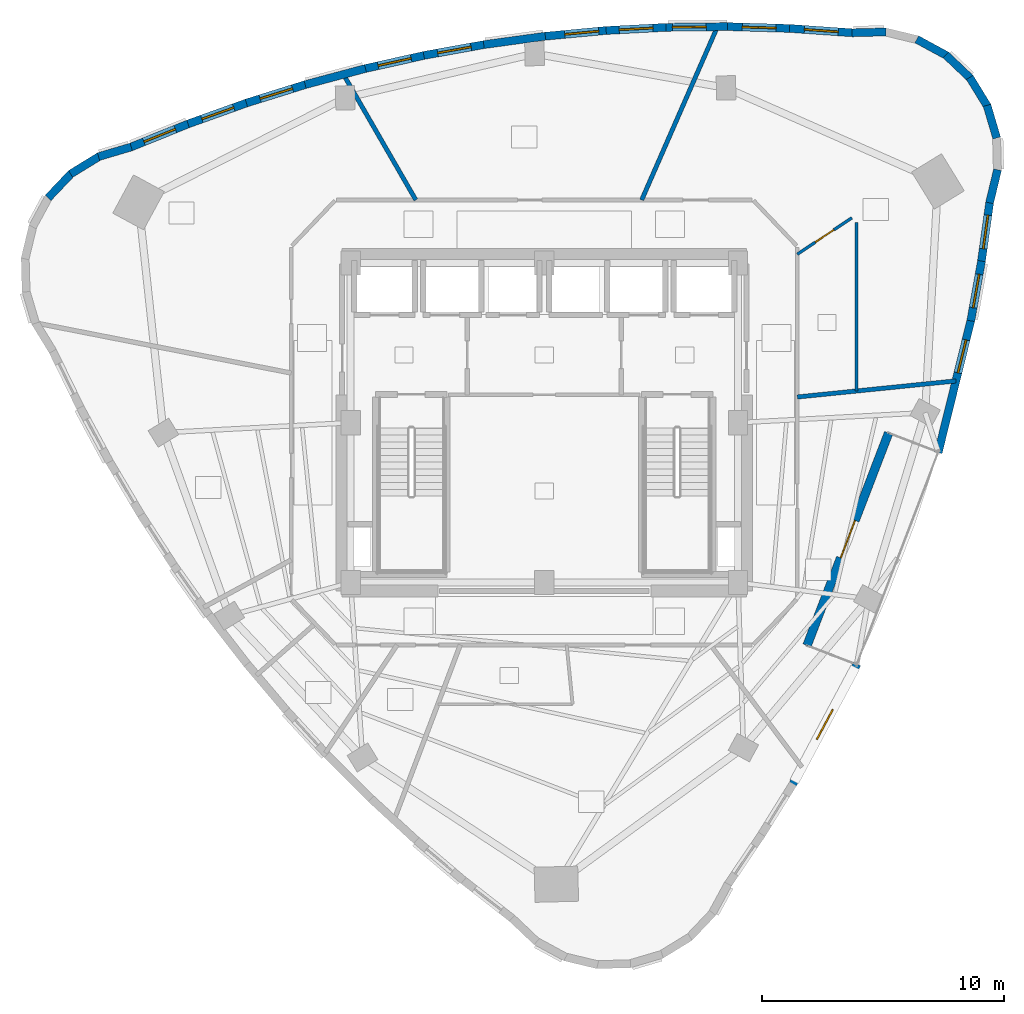
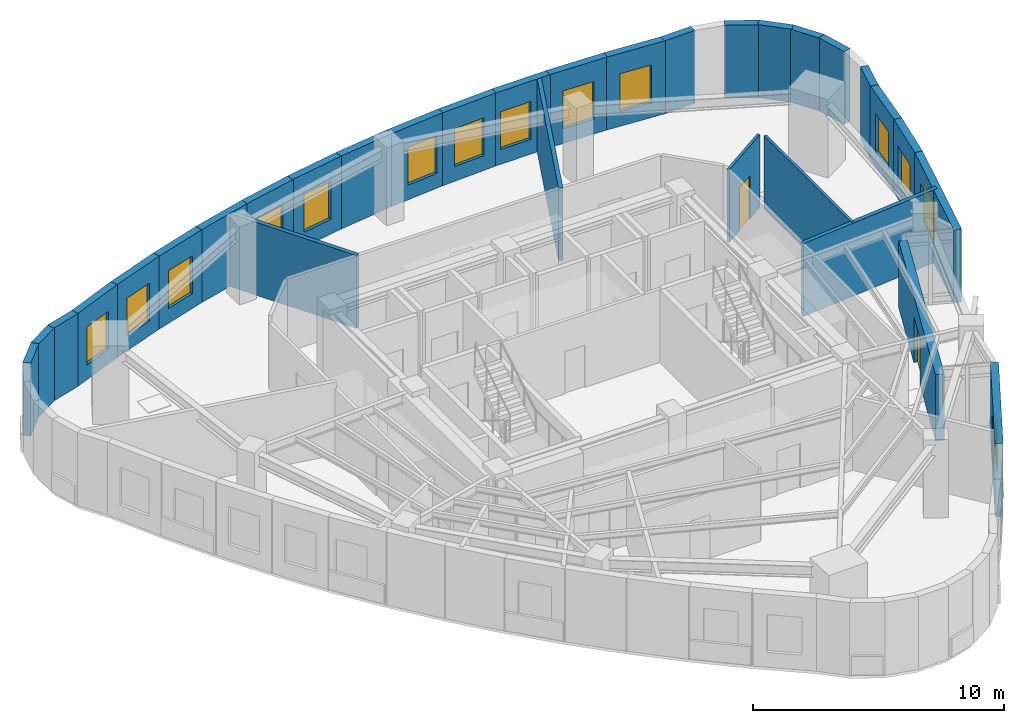
# One storey, part 6 of 10: 31 walls, 14 windows, 2 doors, 16 openings.
"""IFC4 building model written with IfcOpenShell, lengths in metres."""

from ifc_helpers import new_model, si_unit, direction, frame, frame_2d, origin, place, context, subcontext, project, spatial, rectangle, extrude, material, layer, layer_set, type_object, element, fill, save


model = new_model("IFC4")

# Units and contexts
model_context = context("Model", 3, precision=1e-05, world=origin(), true_north=direction((0.0, 1.0)))
body_context = subcontext(model_context, "Body", "Model", "MODEL_VIEW")
ifc_project = project(units=[si_unit("LENGTHUNIT", "METRE"), si_unit("AREAUNIT", "SQUARE_METRE"), si_unit("VOLUMEUNIT", "CUBIC_METRE"), si_unit("PLANEANGLEUNIT", "RADIAN"), si_unit("MASSUNIT", "GRAM", prefix="KILO")], contexts=[model_context])

# Site, building, storey
site_placement = place(None, origin())
site = spatial("IfcSite", under=ifc_project, at=site_placement, CompositionType="ELEMENT")
building_placement = place(site_placement, origin())
building = spatial("IfcBuilding", under=site, at=building_placement, Name="Ndelora Gate Hotel", CompositionType="ELEMENT")
storey_placement = place(building_placement, frame((0.0, 0.0, 247.35009765625)))
storey = spatial("IfcBuildingStorey", under=building, at=storey_placement, Name="L62", CompositionType="ELEMENT", Elevation=247.35009765625)

# Walls
ifc_material_1 = material(Name="Acoustic Double-Stud Gypsum Assembly", Category="gypsum")
ifc_layer_1 = layer(ifc_material_1, 0.179931640625)
ifc_layer_set_1 = layer_set([ifc_layer_1], Name="Acoustic Double-Stud Gypsum Assembly")
wall_type_1 = type_object("IfcWallType", Name="WL-ACOUST-180", PredefinedType="PARTITIONING", material=ifc_layer_set_1)
wall_1_placement = place(storey_placement, frame((10.449951171875, 1.060791015625, 0.0), z_axis=(0.0, 0.0, 1.0), x_axis=(0.994889305672, 0.100971626999, 0.0)))
element("IfcWall", 1, at=wall_1_placement, inside=storey, type_object=wall_type_1, Name="L62 Interior Wall IW-3", PredefinedType="PARTITIONING", context=body_context, shape_type="SweptSolid", body=[
    extrude(rectangle(XDim=6.58642578125, YDim=0.179931640625, at=frame_2d((3.293212890625, 0.0))), origin(), (0.0, 0.0, 1.0), 3.5498046875),
])
wall_2_placement = place(storey_placement, frame((4.0234375, 9.199951171875, 0.0), z_axis=(0.0, 0.0, 1.0), x_axis=(0.400689260614, 0.916214012351, 0.0)))
element("IfcWall", 2, at=wall_2_placement, inside=storey, type_object=wall_type_1, Name="L62 Interior Wall IW-3", PredefinedType="PARTITIONING", context=body_context, shape_type="SweptSolid", body=[
    extrude(rectangle(XDim=7.808837890625, YDim=0.179931640625, at=frame_2d((3.904296875, 0.0))), origin(), (0.0, 0.0, 1.0), 3.5498046875),
])
wall_3_placement = place(storey_placement, frame((-5.305419921875, 9.199951171875, 0.0), z_axis=(0.0, 0.0, 1.0), x_axis=(-0.499547119909, 0.866286716388, 0.0)))
element("IfcWall", 3, at=wall_3_placement, inside=storey, type_object=wall_type_1, Name="L62 Interior Wall IW-3", PredefinedType="PARTITIONING", context=body_context, shape_type="SweptSolid", body=[
    extrude(rectangle(XDim=5.9873046875, YDim=0.179931640625, at=frame_2d((2.99365234375, 0.0))), origin(), (0.0, 0.0, 1.0), 3.5498046875),
])
ifc_material_2 = material(Name="Clay Brick Masonry", Category="masonry")
ifc_layer_2 = layer(ifc_material_2, 0.330078125)
ifc_layer_set_2 = layer_set([ifc_layer_2], Name="Clay Brick Masonry")
wall_type_2 = type_object("IfcWallType", Name="WL-BRICK-330", PredefinedType="SOLIDWALL", material=ifc_layer_set_2)
for number, where, z_axis, x_axis, name in (
    (4, (-18.40966796875, 10.989013671875, 0.0), (0.0, 0.0, 1.0), (0.958780610545, 0.284147392812, 0.0), "L62 Tower Brick Pier-and-Spandrel Wall TWR-1"),
    (5, (-19.564453125, 10.273681640625, 0.0), (0.0, 0.0, 1.0), (0.852556375324, 0.522635271384, 0.0), "L62 Tower Brick Pier-and-Spandrel Wall TWR-2"),
    (6, (-20.494873046875, 9.2841796875, 0.0), (0.0, 0.0, 1.0), (0.688480442028, 0.725254907563, 0.0), "L62 Tower Brick Pier-and-Spandrel Wall TWR-3"),
):
    element("IfcWall", number, at=place(storey_placement, frame(where, z_axis=z_axis, x_axis=x_axis)), inside=storey, type_object=wall_type_2, Name=name, PredefinedType="SOLIDWALL", context=body_context, shape_type="SweptSolid", body=[
        extrude(rectangle(XDim=1.407470703125, YDim=0.330078125, at=frame_2d((0.70361328125, 0.0))), origin(), (0.0, 0.0, 1.0), 3.5498046875),
    ])

# Wall, opening, window
wall_4_placement = place(storey_placement, frame((12.919189453125, -9.967041015625, 0.0), z_axis=(0.0, 0.0, 1.0), x_axis=(-0.471219832314, -0.882015798971, 0.0)))
wall_4 = element("IfcWall", 7, at=wall_4_placement, inside=storey, type_object=wall_type_2, Name="L62 Tower Brick Pier-and-Spandrel Wall TWR-31", PredefinedType="SOLIDWALL", context=body_context, shape_type="SweptSolid", body=[
    extrude(rectangle(XDim=5.65673828125, YDim=0.330078125, at=frame_2d((2.828369140625, 0.0))), origin(), (0.0, 0.0, 1.0), 3.5498046875),
])
opening_1_placement = place(wall_4_placement, frame((2.12841796875, 0.0, 0.719970703125)))
opening_1 = element("IfcOpeningElement", 8, at=opening_1_placement, cuts=wall_4, Name="Opening W02", PredefinedType="OPENING", context=body_context, shape_type="SweptSolid", body=[
    extrude(rectangle(XDim=1.39990234375, YDim=1.8798828125, at=frame_2d((0.699951171875, 0.93994140625))), frame((0.0, 0.175048828125, 0.0), z_axis=(0.0, -1.0, 0.0), x_axis=(1.0, 0.0, 0.0)), (0.0, 0.0, 1.0), 0.35009765625),
])
ifc_material_3 = material(Name="Insulated Low-E Double Glazing in Bronze Aluminium Frame", Category="aluminium")
window_type = type_object("IfcWindowType", Name="WN-DEEP-1400", PartitioningType="SINGLE_PANEL", PredefinedType="WINDOW", material=ifc_material_3)
window_1_placement = place(opening_1_placement, origin())
window_1 = element("IfcWindow", 9, at=window_1_placement, inside=storey, type_object=window_type, Name="L62 Deep-Set Brick-Pier Window W02", OverallHeight=1.8798828125, OverallWidth=1.39990234375, PartitioningType="SINGLE_PANEL", PredefinedType="WINDOW", context=body_context, shape_type="SweptSolid", body=[
    extrude(rectangle(XDim=1.39990234375, YDim=1.8798828125, at=frame_2d((0.699951171875, 0.93994140625))), frame((0.0, 0.030029296875, 0.0), z_axis=(0.0, -1.0, 0.0), x_axis=(1.0, 0.0, 0.0)), (0.0, 0.0, 1.0), 0.06005859375),
])
fill(opening_1, window_1)

wall_5_placement = place(storey_placement, frame((17.627685546875, 4.253662109375, 0.0), z_axis=(0.0, 0.0, 1.0), x_axis=(-0.240006202067, -0.97077135463, 0.0)))
wall_5 = element("IfcWall", 10, at=wall_5_placement, inside=storey, type_object=wall_type_2, Name="L62 Tower Brick Pier-and-Spandrel Wall TWR-36", PredefinedType="SOLIDWALL", context=body_context, shape_type="SweptSolid", body=[
    extrude(rectangle(XDim=5.65673828125, YDim=0.330078125, at=frame_2d((2.828369140625, 0.0))), origin(), (0.0, 0.0, 1.0), 3.5498046875),
])
opening_2_placement = place(wall_5_placement, frame((0.860107421875, 0.0, 0.719970703125)))
opening_2 = element("IfcOpeningElement", 11, at=opening_2_placement, cuts=wall_5, Name="Opening W02", PredefinedType="OPENING", context=body_context, shape_type="SweptSolid", body=[
    extrude(rectangle(XDim=1.39990234375, YDim=1.8798828125, at=frame_2d((0.699951171875, 0.93994140625))), frame((0.0, 0.175048828125, 0.0), z_axis=(0.0, -1.0, 0.0), x_axis=(1.0, 0.0, 0.0)), (0.0, 0.0, 1.0), 0.35009765625),
])
window_2_placement = place(opening_2_placement, origin())
window_2 = element("IfcWindow", 12, at=window_2_placement, inside=storey, type_object=window_type, Name="L62 Deep-Set Brick-Pier Window W02", OverallHeight=1.8798828125, OverallWidth=1.39990234375, PartitioningType="SINGLE_PANEL", PredefinedType="WINDOW", context=body_context, shape_type="SweptSolid", body=[
    extrude(rectangle(XDim=1.39990234375, YDim=1.8798828125, at=frame_2d((0.699951171875, 0.93994140625))), frame((0.0, 0.030029296875, 0.0), z_axis=(0.0, -1.0, 0.0), x_axis=(1.0, 0.0, 0.0)), (0.0, 0.0, 1.0), 0.06005859375),
])
fill(opening_2, window_2)

wall_6_placement = place(storey_placement, frame((18.06005859375, 6.674072265625, 0.0), z_axis=(0.0, 0.0, 1.0), x_axis=(-0.176521442017, -0.984296794929, 0.0)))
wall_6 = element("IfcWall", 13, at=wall_6_placement, inside=storey, type_object=wall_type_2, Name="L62 Tower Brick Pier-and-Spandrel Wall TWR-37", PredefinedType="SOLIDWALL", context=body_context, shape_type="SweptSolid", body=[
    extrude(rectangle(XDim=2.5087890625, YDim=0.330078125, at=frame_2d((1.25439453125, 0.0))), origin(), (0.0, 0.0, 1.0), 3.5498046875),
])
opening_3_placement = place(wall_6_placement, frame((0.554443359375, 0.0, 0.719970703125)))
opening_3 = element("IfcOpeningElement", 14, at=opening_3_placement, cuts=wall_6, Name="Opening W02", PredefinedType="OPENING", context=body_context, shape_type="SweptSolid", body=[
    extrude(rectangle(XDim=1.39990234375, YDim=1.840087890625, at=frame_2d((0.699951171875, 0.919921875))), frame((0.0, 0.175048828125, 0.0), z_axis=(0.0, -1.0, 0.0), x_axis=(1.0, 0.0, 0.0)), (0.0, 0.0, 1.0), 0.35009765625),
])
window_3_placement = place(opening_3_placement, origin())
window_3 = element("IfcWindow", 15, at=window_3_placement, inside=storey, type_object=window_type, Name="L62 Deep-Set Brick-Pier Window W02", OverallHeight=1.840087890625, OverallWidth=1.39990234375, PartitioningType="SINGLE_PANEL", PredefinedType="WINDOW", context=body_context, shape_type="SweptSolid", body=[
    extrude(rectangle(XDim=1.39990234375, YDim=1.840087890625, at=frame_2d((0.699951171875, 0.919921875))), frame((0.0, 0.030029296875, 0.0), z_axis=(0.0, -1.0, 0.0), x_axis=(1.0, 0.0, 0.0)), (0.0, 0.0, 1.0), 0.06005859375),
])
fill(opening_3, window_3)

wall_7_placement = place(storey_placement, frame((18.40234375, 9.12939453125, 0.0), z_axis=(0.0, 0.0, 1.0), x_axis=(-0.138433861982, -0.990371680662, 0.0)))
wall_7 = element("IfcWall", 16, at=wall_7_placement, inside=storey, type_object=wall_type_2, Name="L62 Tower Brick Pier-and-Spandrel Wall TWR-38", PredefinedType="SOLIDWALL", context=body_context, shape_type="SweptSolid", body=[
    extrude(rectangle(XDim=2.529052734375, YDim=0.330078125, at=frame_2d((1.2646484375, 0.0))), origin(), (0.0, 0.0, 1.0), 3.5498046875),
])
opening_4_placement = place(wall_7_placement, frame((0.564453125, 0.0, 0.719970703125)))
opening_4 = element("IfcOpeningElement", 17, at=opening_4_placement, cuts=wall_7, Name="Opening W02", PredefinedType="OPENING", context=body_context, shape_type="SweptSolid", body=[
    extrude(rectangle(XDim=1.39990234375, YDim=1.840087890625, at=frame_2d((0.699951171875, 0.919921875))), frame((0.0, 0.175048828125, 0.0), z_axis=(0.0, -1.0, 0.0), x_axis=(1.0, 0.0, 0.0)), (0.0, 0.0, 1.0), 0.35009765625),
])
window_4_placement = place(opening_4_placement, origin())
window_4 = element("IfcWindow", 18, at=window_4_placement, inside=storey, type_object=window_type, Name="L62 Deep-Set Brick-Pier Window W02", OverallHeight=1.840087890625, OverallWidth=1.39990234375, PartitioningType="SINGLE_PANEL", PredefinedType="WINDOW", context=body_context, shape_type="SweptSolid", body=[
    extrude(rectangle(XDim=1.39990234375, YDim=1.840087890625, at=frame_2d((0.699951171875, 0.919921875))), frame((0.0, 0.030029296875, 0.0), z_axis=(0.0, -1.0, 0.0), x_axis=(1.0, 0.0, 0.0)), (0.0, 0.0, 1.0), 0.06005859375),
])
fill(opening_4, window_4)

# Walls
wall_8_placement = place(storey_placement, frame((18.7216796875, 10.44873046875, 0.0), z_axis=(0.0, 0.0, 1.0), x_axis=(-0.233464793771, -0.972365255482, 0.0)))
element("IfcWall", 19, at=wall_8_placement, inside=storey, type_object=wall_type_2, Name="L62 Tower Brick Pier-and-Spandrel Wall TWR-39", PredefinedType="SOLIDWALL", context=body_context, shape_type="SweptSolid", body=[
    extrude(rectangle(XDim=1.407470703125, YDim=0.330078125, at=frame_2d((0.70361328125, 0.0))), origin(), (0.0, 0.0, 1.0), 3.5498046875),
])
wall_9_placement = place(storey_placement, frame((18.28759765625, 13.10693359375, 0.0), z_axis=(0.0, 0.0, 1.0), x_axis=(0.284100140437, -0.958794613149, 0.0)))
element("IfcWall", 20, at=wall_9_placement, inside=storey, type_object=wall_type_2, Name="L62 Tower Brick Pier-and-Spandrel Wall TWR-41", PredefinedType="SOLIDWALL", context=body_context, shape_type="SweptSolid", body=[
    extrude(rectangle(XDim=1.40771484375, YDim=0.330078125, at=frame_2d((0.703857421875, 0.0))), origin(), (0.0, 0.0, 1.0), 3.5498046875),
])
wall_10_placement = place(storey_placement, frame((17.572509765625, 14.26171875, 0.0), z_axis=(0.0, 0.0, 1.0), x_axis=(0.522509174355, -0.852633662668, 0.0)))
element("IfcWall", 21, at=wall_10_placement, inside=storey, type_object=wall_type_2, Name="L62 Tower Brick Pier-and-Spandrel Wall TWR-42", PredefinedType="SOLIDWALL", context=body_context, shape_type="SweptSolid", body=[
    extrude(rectangle(XDim=1.4072265625, YDim=0.330078125, at=frame_2d((0.70361328125, 0.0))), origin(), (0.0, 0.0, 1.0), 3.5498046875),
])
for number, where, z_axis, x_axis, name in (
    (22, (16.582763671875, 15.192138671875, 0.0), (0.0, 0.0, 1.0), (0.725254907563, -0.688480442028, 0.0), "L62 Tower Brick Pier-and-Spandrel Wall TWR-43"),
    (23, (15.3857421875, 15.83447265625, 0.0), (0.0, 0.0, 1.0), (0.8789012206, -0.47700382014, 0.0), "L62 Tower Brick Pier-and-Spandrel Wall TWR-44"),
    (24, (12.705810546875, 16.103271484375, 0.0), (0.0, 0.0, 1.0), (0.999656913907, 0.02619264168, 0.0), "L62 Tower Brick Pier-and-Spandrel Wall TWR-46"),
):
    element("IfcWall", number, at=place(storey_placement, frame(where, z_axis=z_axis, x_axis=x_axis)), inside=storey, type_object=wall_type_2, Name=name, PredefinedType="SOLIDWALL", context=body_context, shape_type="SweptSolid", body=[
        extrude(rectangle(XDim=1.407470703125, YDim=0.330078125, at=frame_2d((0.70361328125, 0.0))), origin(), (0.0, 0.0, 1.0), 3.5498046875),
    ])

# Wall, opening, window
wall_11_placement = place(storey_placement, frame((10.130615234375, 16.285400390625, 0.0), z_axis=(0.0, 0.0, 1.0), x_axis=(0.997576448788, -0.069578939514, 0.0)))
wall_11 = element("IfcWall", 25, at=wall_11_placement, inside=storey, type_object=wall_type_2, Name="L62 Tower Brick Pier-and-Spandrel Wall TWR-47", PredefinedType="SOLIDWALL", context=body_context, shape_type="SweptSolid", body=[
    extrude(rectangle(XDim=2.631591796875, YDim=0.330078125, at=frame_2d((1.31591796875, 0.0))), origin(), (0.0, 0.0, 1.0), 3.5498046875),
])
opening_5_placement = place(wall_11_placement, frame((0.61572265625, 0.0, 0.719970703125)))
opening_5 = element("IfcOpeningElement", 26, at=opening_5_placement, cuts=wall_11, Name="Opening W02", PredefinedType="OPENING", context=body_context, shape_type="SweptSolid", body=[
    extrude(rectangle(XDim=1.39990234375, YDim=1.840087890625, at=frame_2d((0.699951171875, 0.919921875))), frame((0.0, 0.175048828125, 0.0), z_axis=(0.0, -1.0, 0.0), x_axis=(1.0, 0.0, 0.0)), (0.0, 0.0, 1.0), 0.35009765625),
])
window_5_placement = place(opening_5_placement, origin())
window_5 = element("IfcWindow", 27, at=window_5_placement, inside=storey, type_object=window_type, Name="L62 Deep-Set Brick-Pier Window W02", OverallHeight=1.840087890625, OverallWidth=1.39990234375, PartitioningType="SINGLE_PANEL", PredefinedType="WINDOW", context=body_context, shape_type="SweptSolid", body=[
    extrude(rectangle(XDim=1.39990234375, YDim=1.840087890625, at=frame_2d((0.699951171875, 0.919921875))), frame((0.0, 0.030029296875, 0.0), z_axis=(0.0, -1.0, 0.0), x_axis=(1.0, 0.0, 0.0)), (0.0, 0.0, 1.0), 0.06005859375),
])
fill(opening_5, window_5)

wall_12_placement = place(storey_placement, frame((7.571533203125, 16.360107421875, 0.0), z_axis=(0.0, 0.0, 1.0), x_axis=(0.999565811964, -0.029465022531, 0.0)))
wall_12 = element("IfcWall", 28, at=wall_12_placement, inside=storey, type_object=wall_type_2, Name="L62 Tower Brick Pier-and-Spandrel Wall TWR-48", PredefinedType="SOLIDWALL", context=body_context, shape_type="SweptSolid", body=[
    extrude(rectangle(XDim=2.610107421875, YDim=0.330078125, at=frame_2d((1.30517578125, 0.0))), origin(), (0.0, 0.0, 1.0), 3.5498046875),
])
opening_6_placement = place(wall_12_placement, frame((0.60498046875, 0.0, 0.719970703125)))
opening_6 = element("IfcOpeningElement", 29, at=opening_6_placement, cuts=wall_12, Name="Opening W02", PredefinedType="OPENING", context=body_context, shape_type="SweptSolid", body=[
    extrude(rectangle(XDim=1.39990234375, YDim=1.840087890625, at=frame_2d((0.699951171875, 0.919921875))), frame((0.0, 0.175048828125, 0.0), z_axis=(0.0, -1.0, 0.0), x_axis=(1.0, 0.0, 0.0)), (0.0, 0.0, 1.0), 0.35009765625),
])
window_6_placement = place(opening_6_placement, origin())
window_6 = element("IfcWindow", 30, at=window_6_placement, inside=storey, type_object=window_type, Name="L62 Deep-Set Brick-Pier Window W02", OverallHeight=1.840087890625, OverallWidth=1.39990234375, PartitioningType="SINGLE_PANEL", PredefinedType="WINDOW", context=body_context, shape_type="SweptSolid", body=[
    extrude(rectangle(XDim=1.39990234375, YDim=1.840087890625, at=frame_2d((0.699951171875, 0.919921875))), frame((0.0, 0.030029296875, 0.0), z_axis=(0.0, -1.0, 0.0), x_axis=(1.0, 0.0, 0.0)), (0.0, 0.0, 1.0), 0.06005859375),
])
fill(opening_6, window_6)

wall_13_placement = place(storey_placement, frame((5.029296875, 16.33056640625, 0.0), z_axis=(0.0, 0.0, 1.0), x_axis=(0.99993614345, 0.011300841704, 0.0)))
wall_13 = element("IfcWall", 31, at=wall_13_placement, inside=storey, type_object=wall_type_2, Name="L62 Tower Brick Pier-and-Spandrel Wall TWR-49", PredefinedType="SOLIDWALL", context=body_context, shape_type="SweptSolid", body=[
    extrude(rectangle(XDim=2.592529296875, YDim=0.330078125, at=frame_2d((1.29638671875, 0.0))), origin(), (0.0, 0.0, 1.0), 3.5498046875),
])
opening_7_placement = place(wall_13_placement, frame((0.260009765625, 0.0, 0.719970703125)))
opening_7 = element("IfcOpeningElement", 32, at=opening_7_placement, cuts=wall_13, Name="Opening W02", PredefinedType="OPENING", context=body_context, shape_type="SweptSolid", body=[
    extrude(rectangle(XDim=1.39990234375, YDim=1.840087890625, at=frame_2d((0.699951171875, 0.919921875))), frame((0.0, 0.175048828125, 0.0), z_axis=(0.0, -1.0, 0.0), x_axis=(1.0, 0.0, 0.0)), (0.0, 0.0, 1.0), 0.35009765625),
])
window_7_placement = place(opening_7_placement, origin())
window_7 = element("IfcWindow", 33, at=window_7_placement, inside=storey, type_object=window_type, Name="L62 Deep-Set Brick-Pier Window W02", OverallHeight=1.840087890625, OverallWidth=1.39990234375, PartitioningType="SINGLE_PANEL", PredefinedType="WINDOW", context=body_context, shape_type="SweptSolid", body=[
    extrude(rectangle(XDim=1.39990234375, YDim=1.840087890625, at=frame_2d((0.699951171875, 0.919921875))), frame((0.0, 0.030029296875, 0.0), z_axis=(0.0, -1.0, 0.0), x_axis=(1.0, 0.0, 0.0)), (0.0, 0.0, 1.0), 0.06005859375),
])
fill(opening_7, window_7)

wall_14_placement = place(storey_placement, frame((2.50341796875, 16.19677734375, 0.0), z_axis=(0.0, 0.0, 1.0), x_axis=(0.998619136425, 0.052533992485, 0.0)))
wall_14 = element("IfcWall", 34, at=wall_14_placement, inside=storey, type_object=wall_type_2, Name="L62 Tower Brick Pier-and-Spandrel Wall TWR-50", PredefinedType="SOLIDWALL", context=body_context, shape_type="SweptSolid", body=[
    extrude(rectangle(XDim=2.579345703125, YDim=0.330078125, at=frame_2d((1.28955078125, 0.0))), origin(), (0.0, 0.0, 1.0), 3.5498046875),
])
opening_8_placement = place(wall_14_placement, frame((0.589599609375, 0.0, 0.719970703125)))
opening_8 = element("IfcOpeningElement", 35, at=opening_8_placement, cuts=wall_14, Name="Opening W02", PredefinedType="OPENING", context=body_context, shape_type="SweptSolid", body=[
    extrude(rectangle(XDim=1.39990234375, YDim=1.840087890625, at=frame_2d((0.699951171875, 0.919921875))), frame((0.0, 0.175048828125, 0.0), z_axis=(0.0, -1.0, 0.0), x_axis=(1.0, 0.0, 0.0)), (0.0, 0.0, 1.0), 0.35009765625),
])
window_8_placement = place(opening_8_placement, origin())
window_8 = element("IfcWindow", 36, at=window_8_placement, inside=storey, type_object=window_type, Name="L62 Deep-Set Brick-Pier Window W02", OverallHeight=1.840087890625, OverallWidth=1.39990234375, PartitioningType="SINGLE_PANEL", PredefinedType="WINDOW", context=body_context, shape_type="SweptSolid", body=[
    extrude(rectangle(XDim=1.39990234375, YDim=1.840087890625, at=frame_2d((0.699951171875, 0.919921875))), frame((0.0, 0.030029296875, 0.0), z_axis=(0.0, -1.0, 0.0), x_axis=(1.0, 0.0, 0.0)), (0.0, 0.0, 1.0), 0.06005859375),
])
fill(opening_8, window_8)

wall_15_placement = place(storey_placement, frame((-0.005859375, 15.95849609375, 0.0), z_axis=(0.0, 0.0, 1.0), x_axis=(0.995560547184, 0.094123306836, 0.0)))
wall_15 = element("IfcWall", 37, at=wall_15_placement, inside=storey, type_object=wall_type_2, Name="L62 Tower Brick Pier-and-Spandrel Wall TWR-51", PredefinedType="SOLIDWALL", context=body_context, shape_type="SweptSolid", body=[
    extrude(rectangle(XDim=2.570556640625, YDim=0.330078125, at=frame_2d((1.28515625, 0.0))), origin(), (0.0, 0.0, 1.0), 3.5498046875),
])
opening_9_placement = place(wall_15_placement, frame((0.860107421875, 0.0, 0.719970703125)))
opening_9 = element("IfcOpeningElement", 38, at=opening_9_placement, cuts=wall_15, Name="Opening W02", PredefinedType="OPENING", context=body_context, shape_type="SweptSolid", body=[
    extrude(rectangle(XDim=1.39990234375, YDim=1.840087890625, at=frame_2d((0.699951171875, 0.919921875))), frame((0.0, 0.175048828125, 0.0), z_axis=(0.0, -1.0, 0.0), x_axis=(1.0, 0.0, 0.0)), (0.0, 0.0, 1.0), 0.35009765625),
])
window_9_placement = place(opening_9_placement, origin())
window_9 = element("IfcWindow", 39, at=window_9_placement, inside=storey, type_object=window_type, Name="L62 Deep-Set Brick-Pier Window W02", OverallHeight=1.840087890625, OverallWidth=1.39990234375, PartitioningType="SINGLE_PANEL", PredefinedType="WINDOW", context=body_context, shape_type="SweptSolid", body=[
    extrude(rectangle(XDim=1.39990234375, YDim=1.840087890625, at=frame_2d((0.699951171875, 0.919921875))), frame((0.0, 0.030029296875, 0.0), z_axis=(0.0, -1.0, 0.0), x_axis=(1.0, 0.0, 0.0)), (0.0, 0.0, 1.0), 0.06005859375),
])
fill(opening_9, window_9)

# Wall
wall_16_placement = place(storey_placement, frame((-2.498779296875, 15.615966796875, 0.0), z_axis=(0.0, 0.0, 1.0), x_axis=(0.990754753975, 0.135665093064, 0.0)))
element("IfcWall", 40, at=wall_16_placement, inside=storey, type_object=wall_type_2, Name="L62 Tower Brick Pier-and-Spandrel Wall TWR-52", PredefinedType="SOLIDWALL", context=body_context, shape_type="SweptSolid", body=[
    extrude(rectangle(XDim=2.566162109375, YDim=0.330078125, at=frame_2d((1.283203125, 0.0))), origin(), (0.0, 0.0, 1.0), 3.5498046875),
])

# Wall, opening, window
wall_17_placement = place(storey_placement, frame((-4.974853515625, 15.16943359375, 0.0), z_axis=(0.0, 0.0, 1.0), x_axis=(0.984201564883, 0.17705162999, 0.0)))
wall_17 = element("IfcWall", 41, at=wall_17_placement, inside=storey, type_object=wall_type_2, Name="L62 Tower Brick Pier-and-Spandrel Wall TWR-53", PredefinedType="SOLIDWALL", context=body_context, shape_type="SweptSolid", body=[
    extrude(rectangle(XDim=2.566162109375, YDim=0.330078125, at=frame_2d((1.283203125, 0.0))), origin(), (0.0, 0.0, 1.0), 3.5498046875),
])
opening_10_placement = place(wall_17_placement, frame((0.5830078125, 0.0, 0.719970703125)))
opening_10 = element("IfcOpeningElement", 42, at=opening_10_placement, cuts=wall_17, Name="Opening W02", PredefinedType="OPENING", context=body_context, shape_type="SweptSolid", body=[
    extrude(rectangle(XDim=1.39990234375, YDim=1.840087890625, at=frame_2d((0.699951171875, 0.919921875))), frame((0.0, 0.175048828125, 0.0), z_axis=(0.0, -1.0, 0.0), x_axis=(1.0, 0.0, 0.0)), (0.0, 0.0, 1.0), 0.35009765625),
])
window_10_placement = place(opening_10_placement, origin())
window_10 = element("IfcWindow", 43, at=window_10_placement, inside=storey, type_object=window_type, Name="L62 Deep-Set Brick-Pier Window W02", OverallHeight=1.840087890625, OverallWidth=1.39990234375, PartitioningType="SINGLE_PANEL", PredefinedType="WINDOW", context=body_context, shape_type="SweptSolid", body=[
    extrude(rectangle(XDim=1.39990234375, YDim=1.840087890625, at=frame_2d((0.699951171875, 0.919921875))), frame((0.0, 0.030029296875, 0.0), z_axis=(0.0, -1.0, 0.0), x_axis=(1.0, 0.0, 0.0)), (0.0, 0.0, 1.0), 0.06005859375),
])
fill(opening_10, window_10)

wall_18_placement = place(storey_placement, frame((-7.434326171875, 14.618408203125, 0.0), z_axis=(0.0, 0.0, 1.0), x_axis=(0.975911395469, 0.218167248213, 0.0)))
wall_18 = element("IfcWall", 44, at=wall_18_placement, inside=storey, type_object=wall_type_2, Name="L62 Tower Brick Pier-and-Spandrel Wall TWR-54", PredefinedType="SOLIDWALL", context=body_context, shape_type="SweptSolid", body=[
    extrude(rectangle(XDim=2.570556640625, YDim=0.330078125, at=frame_2d((1.28515625, 0.0))), origin(), (0.0, 0.0, 1.0), 3.5498046875),
])
opening_11_placement = place(wall_18_placement, frame((0.585205078125, 0.0, 0.719970703125)))
opening_11 = element("IfcOpeningElement", 45, at=opening_11_placement, cuts=wall_18, Name="Opening W02", PredefinedType="OPENING", context=body_context, shape_type="SweptSolid", body=[
    extrude(rectangle(XDim=1.39990234375, YDim=1.840087890625, at=frame_2d((0.699951171875, 0.919921875))), frame((0.0, 0.175048828125, 0.0), z_axis=(0.0, -1.0, 0.0), x_axis=(1.0, 0.0, 0.0)), (0.0, 0.0, 1.0), 0.35009765625),
])
window_11_placement = place(opening_11_placement, origin())
window_11 = element("IfcWindow", 46, at=window_11_placement, inside=storey, type_object=window_type, Name="L62 Deep-Set Brick-Pier Window W02", OverallHeight=1.840087890625, OverallWidth=1.39990234375, PartitioningType="SINGLE_PANEL", PredefinedType="WINDOW", context=body_context, shape_type="SweptSolid", body=[
    extrude(rectangle(XDim=1.39990234375, YDim=1.840087890625, at=frame_2d((0.699951171875, 0.919921875))), frame((0.0, 0.030029296875, 0.0), z_axis=(0.0, -1.0, 0.0), x_axis=(1.0, 0.0, 0.0)), (0.0, 0.0, 1.0), 0.06005859375),
])
fill(opening_11, window_11)

# Wall
wall_19_placement = place(storey_placement, frame((-9.87744140625, 13.963134765625, 0.0), z_axis=(0.0, 0.0, 1.0), x_axis=(0.965959456539, 0.258693502667, 0.0)))
element("IfcWall", 47, at=wall_19_placement, inside=storey, type_object=wall_type_2, Name="L62 Tower Brick Pier-and-Spandrel Wall TWR-55", PredefinedType="SOLIDWALL", context=body_context, shape_type="SweptSolid", body=[
    extrude(rectangle(XDim=2.579345703125, YDim=0.330078125, at=frame_2d((1.28955078125, 0.0))), origin(), (0.0, 0.0, 1.0), 3.5498046875),
])

# Wall, opening, window
wall_20_placement = place(storey_placement, frame((-12.303955078125, 13.203857421875, 0.0), z_axis=(0.0, 0.0, 1.0), x_axis=(0.954466572658, 0.298317886956, 0.0)))
wall_20 = element("IfcWall", 48, at=wall_20_placement, inside=storey, type_object=wall_type_2, Name="L62 Tower Brick Pier-and-Spandrel Wall TWR-56", PredefinedType="SOLIDWALL", context=body_context, shape_type="SweptSolid", body=[
    extrude(rectangle(XDim=2.5927734375, YDim=0.330078125, at=frame_2d((1.29638671875, 0.0))), origin(), (0.0, 0.0, 1.0), 3.5498046875),
])
opening_12_placement = place(wall_20_placement, frame((0.59619140625, 0.0, 0.719970703125)))
opening_12 = element("IfcOpeningElement", 49, at=opening_12_placement, cuts=wall_20, Name="Opening W02", PredefinedType="OPENING", context=body_context, shape_type="SweptSolid", body=[
    extrude(rectangle(XDim=1.39990234375, YDim=1.840087890625, at=frame_2d((0.699951171875, 0.919921875))), frame((0.0, 0.175048828125, 0.0), z_axis=(0.0, -1.0, 0.0), x_axis=(1.0, 0.0, 0.0)), (0.0, 0.0, 1.0), 0.35009765625),
])
window_12_placement = place(opening_12_placement, origin())
window_12 = element("IfcWindow", 50, at=window_12_placement, inside=storey, type_object=window_type, Name="L62 Deep-Set Brick-Pier Window W02", OverallHeight=1.840087890625, OverallWidth=1.39990234375, PartitioningType="SINGLE_PANEL", PredefinedType="WINDOW", context=body_context, shape_type="SweptSolid", body=[
    extrude(rectangle(XDim=1.39990234375, YDim=1.840087890625, at=frame_2d((0.699951171875, 0.919921875))), frame((0.0, 0.030029296875, 0.0), z_axis=(0.0, -1.0, 0.0), x_axis=(1.0, 0.0, 0.0)), (0.0, 0.0, 1.0), 0.06005859375),
])
fill(opening_12, window_12)

wall_21_placement = place(storey_placement, frame((-14.7138671875, 12.340087890625, 0.0), z_axis=(0.0, 0.0, 1.0), x_axis=(0.94149404684, 0.337029612594, 0.0)))
wall_21 = element("IfcWall", 51, at=wall_21_placement, inside=storey, type_object=wall_type_2, Name="L62 Tower Brick Pier-and-Spandrel Wall TWR-57", PredefinedType="SOLIDWALL", context=body_context, shape_type="SweptSolid", body=[
    extrude(rectangle(XDim=2.60986328125, YDim=0.330078125, at=frame_2d((1.304931640625, 0.0))), origin(), (0.0, 0.0, 1.0), 3.5498046875),
])
opening_13_placement = place(wall_21_placement, frame((0.60498046875, 0.0, 0.719970703125)))
opening_13 = element("IfcOpeningElement", 52, at=opening_13_placement, cuts=wall_21, Name="Opening W02", PredefinedType="OPENING", context=body_context, shape_type="SweptSolid", body=[
    extrude(rectangle(XDim=1.39990234375, YDim=1.840087890625, at=frame_2d((0.699951171875, 0.919921875))), frame((0.0, 0.175048828125, 0.0), z_axis=(0.0, -1.0, 0.0), x_axis=(1.0, 0.0, 0.0)), (0.0, 0.0, 1.0), 0.35009765625),
])
window_13_placement = place(opening_13_placement, origin())
window_13 = element("IfcWindow", 53, at=window_13_placement, inside=storey, type_object=window_type, Name="L62 Deep-Set Brick-Pier Window W02", OverallHeight=1.840087890625, OverallWidth=1.39990234375, PartitioningType="SINGLE_PANEL", PredefinedType="WINDOW", context=body_context, shape_type="SweptSolid", body=[
    extrude(rectangle(XDim=1.39990234375, YDim=1.840087890625, at=frame_2d((0.699951171875, 0.919921875))), frame((0.0, 0.030029296875, 0.0), z_axis=(0.0, -1.0, 0.0), x_axis=(1.0, 0.0, 0.0)), (0.0, 0.0, 1.0), 0.06005859375),
])
fill(opening_13, window_13)

wall_22_placement = place(storey_placement, frame((-17.107421875, 11.372314453125, 0.0), z_axis=(0.0, 0.0, 1.0), x_axis=(0.927223872231, 0.374507530985, 0.0)))
wall_22 = element("IfcWall", 54, at=wall_22_placement, inside=storey, type_object=wall_type_2, Name="L62 Tower Brick Pier-and-Spandrel Wall TWR-58", PredefinedType="SOLIDWALL", context=body_context, shape_type="SweptSolid", body=[
    extrude(rectangle(XDim=2.631591796875, YDim=0.330078125, at=frame_2d((1.31591796875, 0.0))), origin(), (0.0, 0.0, 1.0), 3.5498046875),
])
opening_14_placement = place(wall_22_placement, frame((0.61572265625, 0.0, 0.719970703125)))
opening_14 = element("IfcOpeningElement", 55, at=opening_14_placement, cuts=wall_22, Name="Opening W02", PredefinedType="OPENING", context=body_context, shape_type="SweptSolid", body=[
    extrude(rectangle(XDim=1.39990234375, YDim=1.840087890625, at=frame_2d((0.699951171875, 0.919921875))), frame((0.0, 0.175048828125, 0.0), z_axis=(0.0, -1.0, 0.0), x_axis=(1.0, 0.0, 0.0)), (0.0, 0.0, 1.0), 0.35009765625),
])
window_14_placement = place(opening_14_placement, origin())
window_14 = element("IfcWindow", 56, at=window_14_placement, inside=storey, type_object=window_type, Name="L62 Deep-Set Brick-Pier Window W02", OverallHeight=1.840087890625, OverallWidth=1.39990234375, PartitioningType="SINGLE_PANEL", PredefinedType="WINDOW", context=body_context, shape_type="SweptSolid", body=[
    extrude(rectangle(XDim=1.39990234375, YDim=1.840087890625, at=frame_2d((0.699951171875, 0.919921875))), frame((0.0, 0.030029296875, 0.0), z_axis=(0.0, -1.0, 0.0), x_axis=(1.0, 0.0, 0.0)), (0.0, 0.0, 1.0), 0.06005859375),
])
fill(opening_14, window_14)

# Wall, opening, door
ifc_layer_3 = layer(ifc_material_2, 0.360107421875)
ifc_layer_set_3 = layer_set([ifc_layer_3], Name="Clay Brick Masonry")
wall_type_3 = type_object("IfcWallType", Name="WL-BRICK-360", PredefinedType="SOLIDWALL", material=ifc_layer_set_3)
wall_23_placement = place(storey_placement, frame((14.22216796875, -0.425048828125, 0.0), z_axis=(0.0, 0.0, 1.0), x_axis=(-0.358368113904, -0.933580363406, 0.0)))
wall_23 = element("IfcWall", 57, at=wall_23_placement, inside=storey, type_object=wall_type_3, Name="L62 Sky-Garden Loggia Rear Brick Wall", PredefinedType="SOLIDWALL", context=body_context, shape_type="SweptSolid", body=[
    extrude(rectangle(XDim=9.39990234375, YDim=0.360107421875, at=frame_2d((4.699951171875, 0.0))), origin(), (0.0, 0.0, 1.0), 3.22998046875),
])
opening_15_placement = place(wall_23_placement, frame((3.875, 0.0, 0.0)))
opening_15 = element("IfcOpeningElement", 58, at=opening_15_placement, cuts=wall_23, Name="Opening TD1", PredefinedType="OPENING", context=body_context, shape_type="SweptSolid", body=[
    extrude(rectangle(XDim=1.64990234375, YDim=2.25, at=frame_2d((0.824951171875, 1.125))), frame((0.0, 0.18994140625, 0.0), z_axis=(0.0, -1.0, 0.0), x_axis=(1.0, 0.0, 0.0)), (0.0, 0.0, 1.0), 0.380126953125),
])
ifc_material_4 = material(Name="Architectural Bronze Glazed Door", Category="metal")
door_type_1 = type_object("IfcDoorType", Name="DR-TER-1650", OperationType="DOUBLE_DOOR_SINGLE_SWING", PredefinedType="DOOR", material=ifc_material_4)
door_1_placement = place(opening_15_placement, origin())
door_1 = element("IfcDoor", 59, at=door_1_placement, inside=storey, type_object=door_type_1, Name="L62 Sky-Garden Terrace Double Door TD1", OperationType="DOUBLE_DOOR_SINGLE_SWING", OverallHeight=2.25, OverallWidth=1.64990234375, PredefinedType="DOOR", context=body_context, shape_type="SweptSolid", body=[
    extrude(rectangle(XDim=1.64990234375, YDim=2.25, at=frame_2d((0.824951171875, 1.125))), frame((0.0, 0.02490234375, 0.0), z_axis=(0.0, -1.0, 0.0), x_axis=(1.0, 0.0, 0.0)), (0.0, 0.0, 1.0), 0.050048828125),
])
fill(opening_15, door_1)

ifc_material_5 = material(Name="Moisture-Resistant Bathroom Tile Partition", Category="gypsum")
ifc_layer_4 = layer(ifc_material_5, 0.1201171875)
ifc_layer_set_4 = layer_set([ifc_layer_4], Name="Moisture-Resistant Bathroom Tile Partition")
wall_type_4 = type_object("IfcWallType", Name="WL-WET-120", PredefinedType="PARTITIONING", material=ifc_layer_set_4)
wall_24_placement = place(storey_placement, frame((10.449951171875, 6.959716796875, 0.0), z_axis=(0.0, 0.0, 1.0), x_axis=(0.832313360894, 0.554305393513, 0.0)))
wall_24 = element("IfcWall", 60, at=wall_24_placement, inside=storey, type_object=wall_type_4, Name="L62 Interior Wall IW-7", PredefinedType="PARTITIONING", context=body_context, shape_type="SweptSolid", body=[
    extrude(rectangle(XDim=2.7119140625, YDim=0.1201171875, at=frame_2d((1.35595703125, 0.0))), origin(), (0.0, 0.0, 1.0), 3.5498046875),
])
opening_16_placement = place(wall_24_placement, frame((0.89599609375, 0.0, 0.0)))
opening_16 = element("IfcOpeningElement", 61, at=opening_16_placement, cuts=wall_24, Name="Opening D03", PredefinedType="OPENING", context=body_context, shape_type="SweptSolid", body=[
    extrude(rectangle(XDim=0.919921875, YDim=2.10009765625, at=frame_2d((0.4599609375, 1.050048828125))), frame((0.0, 0.070068359375, 0.0), z_axis=(0.0, -1.0, 0.0), x_axis=(1.0, 0.0, 0.0)), (0.0, 0.0, 1.0), 0.14013671875),
])
ifc_material_6 = material(Name="Moisture-Resistant Hardwood En-Suite Door", Category="wood")
door_type_2 = type_object("IfcDoorType", Name="DR-BATH-920", OperationType="SINGLE_SWING_LEFT", PredefinedType="DOOR", material=ifc_material_6)
door_2_placement = place(opening_16_placement, origin())
door_2 = element("IfcDoor", 62, at=door_2_placement, inside=storey, type_object=door_type_2, Name="L62 En-suite Bathroom 6502 Door", OperationType="SINGLE_SWING_LEFT", OverallHeight=2.10009765625, OverallWidth=0.919921875, PredefinedType="DOOR", context=body_context, shape_type="SweptSolid", body=[
    extrude(rectangle(XDim=0.919921875, YDim=2.10009765625, at=frame_2d((0.4599609375, 1.050048828125))), frame((0.0, 0.02490234375, 0.0), z_axis=(0.0, -1.0, 0.0), x_axis=(1.0, 0.0, 0.0)), (0.0, 0.0, 1.0), 0.050048828125),
])
fill(opening_16, door_2)

# Wall
wall_25_placement = place(storey_placement, frame((12.89990234375, 1.3095703125, 0.0), z_axis=(0.0, 0.0, 1.0), x_axis=(0.0, 1.0, 0.0)))
element("IfcWall", 63, at=wall_25_placement, inside=storey, type_object=wall_type_4, Name="L62 Interior Wall IW-7", PredefinedType="PARTITIONING", context=body_context, shape_type="SweptSolid", body=[
    extrude(rectangle(XDim=6.950927734375, YDim=0.1201171875, at=frame_2d((3.4755859375, 0.0))), origin(), (0.0, 0.0, 1.0), 3.5498046875),
])

save(model, "model.ifc")
